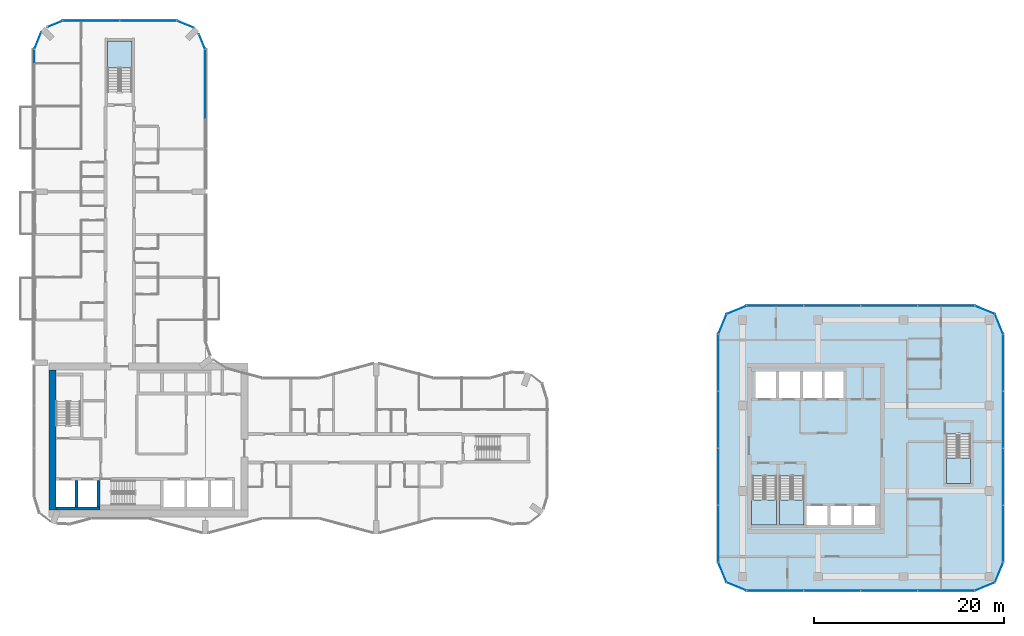
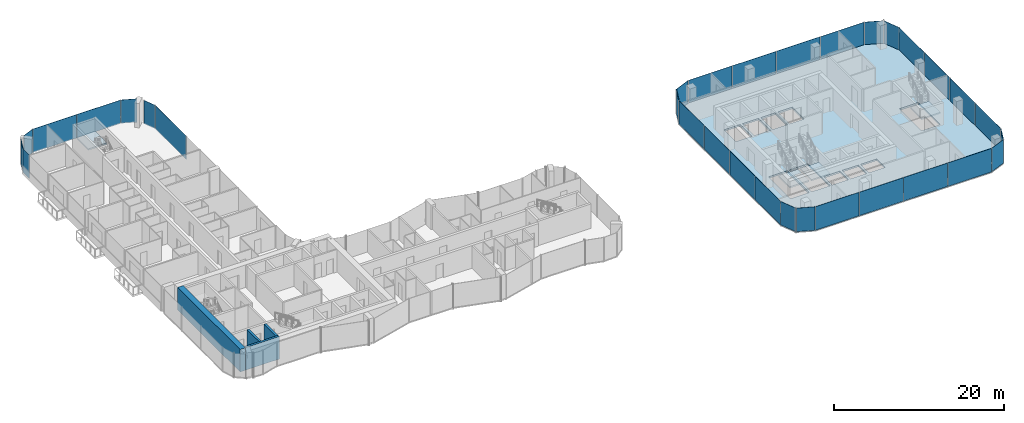
# One storey, part 12 of 22: 32 plates, 5 slabs, 4 walls, 23 elements without a shape of their own.
"""IFC4 building model written with IfcOpenShell, lengths in metres."""

import ifcopenshell
import ifcopenshell.guid

model = None  # the IFC model being written
_history = None  # IfcOwnerHistory: only IFC2X3 demands one
_inside = {}  # id of a spatial element -> (the spatial element, [elements in it])
_under = {}  # id of a project, library or spatial element -> (it, [spatial elements below it])
_declared = {}  # id of a project -> (the project, [libraries it declares])
_typed = {}  # id of a type object -> (the type object, [elements of that type])
_made_of = {}  # id of a material, layer set ... -> (it, [elements and type objects made of it])


def new_model(schema):
    """Start an empty IFC model of exactly this schema.

    Asked for "IFC4X3", IfcOpenShell would pick the latest addendum, in which some entities
    have other attributes; the version numbers below select the first issue.
    IFC2X3 requires an IfcOwnerHistory on every rooted entity: one is made here for all.
    """
    global model, _history
    if schema == "IFC4X3":
        model = ifcopenshell.file(schema_version=(4, 3, 0, 0))
    else:
        model = ifcopenshell.file(schema=schema)
    _inside.clear()
    _under.clear()
    _declared.clear()
    _typed.clear()
    _made_of.clear()
    _history = None
    if model.schema == "IFC2X3":
        org = make("IfcOrganization", Name="unknown")
        user = make(
            "IfcPersonAndOrganization",
            ThePerson=make("IfcPerson", FamilyName="unknown"),
            TheOrganization=org,
        )
        app = make(
            "IfcApplication",
            ApplicationDeveloper=org,
            Version="unknown",
            ApplicationFullName="unknown",
            ApplicationIdentifier="unknown",
        )
        _history = make(
            "IfcOwnerHistory",
            OwningUser=user,
            OwningApplication=app,
            ChangeAction="ADDED",
            CreationDate=0,
        )
    return model


def make(cls, **values):
    """One entity of the class cls with the attributes given. An attribute that is None is left unset."""
    return model.create_entity(
        cls, **{name: value for name, value in values.items() if value is not None}
    )


def rooted(cls, **values):
    """An entity with a GlobalId (a new one), such as an element, a storey or a relation."""
    return make(cls, GlobalId=ifcopenshell.guid.new(), OwnerHistory=_history, **values)


def si_unit(unit_type, name, prefix=None):
    """IfcSIUnit, for example si_unit("LENGTHUNIT", "METRE", prefix="MILLI")."""
    return make("IfcSIUnit", UnitType=unit_type, Prefix=prefix, Name=name)


def assignment(units):
    """IfcUnitAssignment: the units of a project."""
    return None if units is None else make("IfcUnitAssignment", Units=units)


def point(xyz):
    """IfcCartesianPoint."""
    return None if xyz is None else make("IfcCartesianPoint", Coordinates=xyz)


def direction(xyz):
    """IfcDirection."""
    return None if xyz is None else make("IfcDirection", DirectionRatios=xyz)


def frame(location, z_axis=None, x_axis=None):
    """IfcAxis2Placement3D, a coordinate frame: its origin and axes. An axis left out is left unset."""
    return make(
        "IfcAxis2Placement3D",
        Location=point(location),
        Axis=direction(z_axis),
        RefDirection=direction(x_axis),
    )


def frame_2d(location, x_axis=None):
    """IfcAxis2Placement2D, a coordinate frame in the plane: its origin and x axis."""
    return make(
        "IfcAxis2Placement2D", Location=point(location), RefDirection=direction(x_axis)
    )


def origin():
    """The frame at (0, 0, 0) with its axes left unset."""
    return frame((0.0, 0.0, 0.0))


def origin_2d():
    """The frame at (0, 0) in the plane with its x axis left unset."""
    return frame_2d((0.0, 0.0))


def place(relative_to, where):
    """IfcLocalPlacement: puts the frame where relative to a parent placement (None: the world)."""
    return make(
        "IfcLocalPlacement", PlacementRelTo=relative_to, RelativePlacement=where
    )


def context(
    kind, dimensions, precision=None, world=None, true_north=None, identifier=None
):
    """IfcGeometricRepresentationContext, for example the 3D "Model" context."""
    return make(
        "IfcGeometricRepresentationContext",
        ContextIdentifier=identifier,
        ContextType=kind,
        CoordinateSpaceDimension=dimensions,
        Precision=precision,
        WorldCoordinateSystem=world,
        TrueNorth=true_north,
    )


def subcontext(parent, identifier, kind, view, scale=None):
    """IfcGeometricRepresentationSubContext, for example "Body" below "Model"."""
    return make(
        "IfcGeometricRepresentationSubContext",
        ContextIdentifier=identifier,
        ContextType=kind,
        ParentContext=parent,
        TargetScale=scale,
        TargetView=view,
    )


def project(units=None, contexts=None):
    """IfcProject with its units and contexts."""
    return rooted(
        "IfcProject",
        Name="project",
        RepresentationContexts=contexts,
        UnitsInContext=assignment(units),
    )


def spatial(cls, under=None, at=None, **own):
    """A site, building, storey or space (cls), placed at a placement, below another one or the project."""
    s = rooted(cls, ObjectPlacement=at, **own)
    if under is not None:
        _under.setdefault(under.id(), (under, []))[1].append(s)
    return s


def polyline(points):
    """IfcPolyline through the points."""
    return make("IfcPolyline", Points=[point(p) for p in points])


def profile(cls, at=None, kind="AREA", **sizes):
    """A parametric profile (cls). Its sizes go by their IFC names, for example OverallWidth=200.0."""
    return make(cls, ProfileType=kind, Position=at, **sizes)


def rectangle(**sizes):
    """IfcRectangleProfileDef."""
    return profile("IfcRectangleProfileDef", **sizes)


def outline(outer, holes=None, kind="AREA"):
    """IfcArbitraryClosedProfileDef: a profile drawn as a closed curve; with holes, ...WithVoids."""
    if holes is None:
        return make("IfcArbitraryClosedProfileDef", ProfileType=kind, OuterCurve=outer)
    return make(
        "IfcArbitraryProfileDefWithVoids",
        ProfileType=kind,
        OuterCurve=outer,
        InnerCurves=holes,
    )


def extrude(swept, where, along, depth):
    """IfcExtrudedAreaSolid: the profile swept, set in the frame where, extruded along a direction by depth."""
    return make(
        "IfcExtrudedAreaSolid",
        SweptArea=swept,
        Position=where,
        ExtrudedDirection=direction(along),
        Depth=depth,
    )


def shape(context_of_items, identifier, shape_type, items):
    """IfcShapeRepresentation: the items that make up one representation, for example the "Body"."""
    return make(
        "IfcShapeRepresentation",
        ContextOfItems=context_of_items,
        RepresentationIdentifier=identifier,
        RepresentationType=shape_type,
        Items=items,
    )


def material(Name=None, Category=None):
    """IfcMaterial."""
    return make("IfcMaterial", Name=Name, Category=Category)


def layer(
    of_material, thickness, ventilated=None, Name=None, Category=None, Priority=None
):
    """IfcMaterialLayer: one layer of a wall or slab, of a material (None: an air gap)."""
    return make(
        "IfcMaterialLayer",
        Material=of_material,
        LayerThickness=thickness,
        IsVentilated=ventilated,
        Name=Name,
        Category=Category,
        Priority=Priority,
    )


def layer_set(layers, Name=None):
    """IfcMaterialLayerSet."""
    return make("IfcMaterialLayerSet", MaterialLayers=layers, LayerSetName=Name)


def made_of(thing, what):
    """Note that an element or type object is made of a material, layer set ...; save() writes the relation."""
    if what is not None:
        _made_of.setdefault(what.id(), (what, []))[1].append(thing)
    return thing


def type_object(cls, material=None, **own):
    """A type object (cls), such as IfcWallType, which elements share."""
    return made_of(rooted(cls, **own), material)


def element(
    cls,
    number,
    at=None,
    inside=None,
    cuts=None,
    type_object=None,
    material=None,
    context=None,
    identifier="Body",
    shape_type=None,
    held_by="IfcProductDefinitionShape",
    body=None,
    shapes=None,
    **own,
):
    """One element of the class cls, such as IfcWall. Its Tag is "e" and its number.

    at: its placement. inside: the storey or other place that contains it. cuts: it is an
    opening in that element (IfcRelVoidsElement). A single representation is given by context,
    identifier, shape_type and body (its items); several are given by shapes. held_by: the class
    of the entity that holds the representations. save() writes the other relations.
    """
    e = rooted(cls, Tag="e%d" % number, ObjectPlacement=at, **own)
    if body is not None:
        shapes = [shape(context, identifier, shape_type, body)]
    if shapes is not None:
        e.Representation = make(held_by, Representations=shapes)
    if inside is not None:
        _inside.setdefault(inside.id(), (inside, []))[1].append(e)
    if cuts is not None:
        rooted(
            "IfcRelVoidsElement", RelatingBuildingElement=cuts, RelatedOpeningElement=e
        )
    if type_object is not None:
        _typed.setdefault(type_object.id(), (type_object, []))[1].append(e)
    return made_of(e, material)


def aggregate(whole, parts):
    """IfcRelAggregates: a whole, such as a stair, and the parts it consists of."""
    return rooted("IfcRelAggregates", RelatingObject=whole, RelatedObjects=parts)


def save(model, path):
    """Write the relations noted so far, then the file.

    IfcRelAggregates (storeys below a building ...), IfcRelContainedInSpatialStructure (elements
    in a storey), IfcRelDefinesByType, IfcRelAssociatesMaterial and IfcRelDeclares: one each for
    every whole, place, type object, material and project.
    """
    for whole, parts in _under.values():
        aggregate(whole, parts)
    for where, things in _inside.values():
        rooted(
            "IfcRelContainedInSpatialStructure",
            RelatedElements=things,
            RelatingStructure=where,
        )
    for kind, things in _typed.values():
        rooted("IfcRelDefinesByType", RelatedObjects=things, RelatingType=kind)
    for what, things in _made_of.values():
        rooted("IfcRelAssociatesMaterial", RelatedObjects=things, RelatingMaterial=what)
    for by, libraries in _declared.values():
        rooted("IfcRelDeclares", RelatingContext=by, RelatedDefinitions=libraries)
    model.write(path)


model = new_model("IFC4")

# Units and contexts
model_context = context("Model", 3, precision=1e-05, world=origin(), true_north=direction((0.0, 1.0)))
body_context = subcontext(model_context, "Body", "Model", "MODEL_VIEW")
ifc_project = project(units=[si_unit("LENGTHUNIT", "METRE"), si_unit("AREAUNIT", "SQUARE_METRE"), si_unit("VOLUMEUNIT", "CUBIC_METRE"), si_unit("PLANEANGLEUNIT", "RADIAN"), si_unit("MASSUNIT", "GRAM", prefix="KILO")], contexts=[model_context])

# Site, building, storey
site_placement = place(None, origin())
site = spatial("IfcSite", under=ifc_project, at=site_placement, CompositionType="ELEMENT")
building_placement = place(site_placement, origin())
building = spatial("IfcBuilding", under=site, at=building_placement, Name="Plateau Cross Towers", CompositionType="ELEMENT")
storey_placement = place(building_placement, frame((0.0, 0.0, 54.800048828125)))
storey = spatial("IfcBuildingStorey", under=building, at=storey_placement, Name="L13", CompositionType="ELEMENT", Elevation=54.800048828125)

# Curtain wall, plates
ifc_material_1 = material(Name="Dark low-iron glass", Category="glass")
ifc_layer_1 = layer(ifc_material_1, 0.239990234375)
ifc_layer_set_1 = layer_set([ifc_layer_1], Name="Dark low-iron glass")
curtain_wall_type_1 = type_object("IfcCurtainWallType", Name="Curtain wall office unitised CW-F", PredefinedType="NOTDEFINED", material=ifc_layer_set_1)
curtain_wall_1_placement = place(storey_placement, origin())
curtain_wall_1 = element("IfcCurtainWall", 1, at=curtain_wall_1_placement, inside=storey, type_object=curtain_wall_type_1, Name="ENV/B/L13/B750_-60", PredefinedType="NOTDEFINED")
ifc_layer_2 = layer(ifc_material_1, 0.028076171875)
ifc_layer_set_2 = layer_set([ifc_layer_2], Name="Dark low-iron glass")
plate_type_1 = type_object("IfcPlateType", Name="Glass panel 28 office unitised", PredefinedType="CURTAIN_PANEL", material=ifc_layer_set_2)
plate_1_placement = place(storey_placement, frame((78.0, -6.0, -0.1298828125), z_axis=(0.0, 0.0, 1.0), x_axis=(1.0, 0.0, 0.0)))
plate_1 = element("IfcPlate", 2, at=plate_1_placement, type_object=plate_type_1, Name="CW-F panel 1", PredefinedType="CURTAIN_PANEL", context=body_context, shape_type="SweptSolid", body=[
    extrude(rectangle(XDim=5.93994140625, YDim=0.028076171875, at=origin_2d()), origin(), (0.0, 0.0, 1.0), 3.3798828125),
])
plate_2_placement = place(storey_placement, frame((84.0, -6.0, -0.1298828125), z_axis=(0.0, 0.0, 1.0), x_axis=(1.0, 0.0, 0.0)))
plate_2 = element("IfcPlate", 3, at=plate_2_placement, type_object=plate_type_1, Name="CW-F panel 2", PredefinedType="CURTAIN_PANEL", context=body_context, shape_type="SweptSolid", body=[
    extrude(rectangle(XDim=5.93994140625, YDim=0.028076171875, at=origin_2d()), origin(), (0.0, 0.0, 1.0), 3.3798828125),
])
plate_3_placement = place(storey_placement, frame((90.0, -6.0, -0.1298828125), z_axis=(0.0, 0.0, 1.0), x_axis=(1.0, 0.0, 0.0)))
plate_3 = element("IfcPlate", 4, at=plate_3_placement, type_object=plate_type_1, Name="CW-F panel 3", PredefinedType="CURTAIN_PANEL", context=body_context, shape_type="SweptSolid", body=[
    extrude(rectangle(XDim=5.93994140625, YDim=0.028076171875, at=origin_2d()), origin(), (0.0, 0.0, 1.0), 3.3798828125),
])
plate_4_placement = place(storey_placement, frame((96.0, -6.0, -0.1298828125), z_axis=(0.0, 0.0, 1.0), x_axis=(1.0, 0.0, 0.0)))
plate_4 = element("IfcPlate", 5, at=plate_4_placement, type_object=plate_type_1, Name="CW-F panel 4", PredefinedType="CURTAIN_PANEL", context=body_context, shape_type="SweptSolid", body=[
    extrude(rectangle(XDim=5.93994140625, YDim=0.028076171875, at=origin_2d()), origin(), (0.0, 0.0, 1.0), 3.3798828125),
])
aggregate(curtain_wall_1, [plate_1, plate_2, plate_3, plate_4])

# Curtain wall, plate
curtain_wall_2_placement = place(storey_placement, origin())
curtain_wall_2 = element("IfcCurtainWall", 6, at=curtain_wall_2_placement, inside=storey, type_object=curtain_wall_type_1, Name="ENV/B/L13/B990_-60", PredefinedType="NOTDEFINED")
plate_5_placement = place(storey_placement, frame((100.060546875, -5.560546875, -0.1298828125), z_axis=(0.0, 0.0, 1.0), x_axis=(0.923879457699, 0.382683612978, 0.0)))
plate_5 = element("IfcPlate", 7, at=plate_5_placement, type_object=plate_type_1, Name="CW-F panel 1", PredefinedType="CURTAIN_PANEL", context=body_context, shape_type="SweptSolid", body=[
    extrude(rectangle(XDim=2.236083984375, YDim=0.028076171875, at=origin_2d()), origin(), (0.0, 0.0, 1.0), 3.3798828125),
])
aggregate(curtain_wall_2, [plate_5])

curtain_wall_3_placement = place(storey_placement, origin())
curtain_wall_3 = element("IfcCurtainWall", 8, at=curtain_wall_3_placement, inside=storey, type_object=curtain_wall_type_1, Name="ENV/B/L13/B1011_-51", PredefinedType="NOTDEFINED")
plate_6_placement = place(storey_placement, frame((101.560546875, -4.060546875, -0.1298828125), z_axis=(0.0, 0.0, 1.0), x_axis=(0.382683612978, 0.923879457699, 0.0)))
plate_6 = element("IfcPlate", 9, at=plate_6_placement, type_object=plate_type_1, Name="CW-F panel 1", PredefinedType="CURTAIN_PANEL", context=body_context, shape_type="SweptSolid", body=[
    extrude(rectangle(XDim=2.236083984375, YDim=0.028076171875, at=origin_2d()), origin(), (0.0, 0.0, 1.0), 3.3798828125),
])
aggregate(curtain_wall_3, [plate_6])

# Curtain wall, plates
curtain_wall_4_placement = place(storey_placement, origin())
curtain_wall_4 = element("IfcCurtainWall", 10, at=curtain_wall_4_placement, inside=storey, type_object=curtain_wall_type_1, Name="ENV/B/L13/B1020_-30", PredefinedType="NOTDEFINED")
plate_7_placement = place(storey_placement, frame((102.0, 0.0, -0.1298828125), z_axis=(0.0, 0.0, 1.0), x_axis=(0.0, 1.0, 0.0)))
plate_7 = element("IfcPlate", 11, at=plate_7_placement, type_object=plate_type_1, Name="CW-F panel 1", PredefinedType="CURTAIN_PANEL", context=body_context, shape_type="SweptSolid", body=[
    extrude(rectangle(XDim=5.93994140625, YDim=0.028076171875, at=origin_2d()), origin(), (0.0, 0.0, 1.0), 3.3798828125),
])
plate_8_placement = place(storey_placement, frame((102.0, 6.0, -0.1298828125), z_axis=(0.0, 0.0, 1.0), x_axis=(0.0, 1.0, 0.0)))
plate_8 = element("IfcPlate", 12, at=plate_8_placement, type_object=plate_type_1, Name="CW-F panel 2", PredefinedType="CURTAIN_PANEL", context=body_context, shape_type="SweptSolid", body=[
    extrude(rectangle(XDim=5.93994140625, YDim=0.028076171875, at=origin_2d()), origin(), (0.0, 0.0, 1.0), 3.3798828125),
])
plate_9_placement = place(storey_placement, frame((102.0, 12.0, -0.1298828125), z_axis=(0.0, 0.0, 1.0), x_axis=(0.0, 1.0, 0.0)))
plate_9 = element("IfcPlate", 13, at=plate_9_placement, type_object=plate_type_1, Name="CW-F panel 3", PredefinedType="CURTAIN_PANEL", context=body_context, shape_type="SweptSolid", body=[
    extrude(rectangle(XDim=5.93994140625, YDim=0.028076171875, at=origin_2d()), origin(), (0.0, 0.0, 1.0), 3.3798828125),
])
plate_10_placement = place(storey_placement, frame((102.0, 18.0, -0.1298828125), z_axis=(0.0, 0.0, 1.0), x_axis=(0.0, 1.0, 0.0)))
plate_10 = element("IfcPlate", 14, at=plate_10_placement, type_object=plate_type_1, Name="CW-F panel 4", PredefinedType="CURTAIN_PANEL", context=body_context, shape_type="SweptSolid", body=[
    extrude(rectangle(XDim=5.93994140625, YDim=0.028076171875, at=origin_2d()), origin(), (0.0, 0.0, 1.0), 3.3798828125),
])
aggregate(curtain_wall_4, [plate_7, plate_8, plate_9, plate_10])

# Curtain wall, plate
curtain_wall_5_placement = place(storey_placement, origin())
curtain_wall_5 = element("IfcCurtainWall", 15, at=curtain_wall_5_placement, inside=storey, type_object=curtain_wall_type_1, Name="ENV/B/L13/B1020_210", PredefinedType="NOTDEFINED")
plate_11_placement = place(storey_placement, frame((101.560546875, 22.060546875, -0.1298828125), z_axis=(0.0, 0.0, 1.0), x_axis=(-0.382683612978, 0.923879457699, 0.0)))
plate_11 = element("IfcPlate", 16, at=plate_11_placement, type_object=plate_type_1, Name="CW-F panel 1", PredefinedType="CURTAIN_PANEL", context=body_context, shape_type="SweptSolid", body=[
    extrude(rectangle(XDim=2.236083984375, YDim=0.028076171875, at=origin_2d()), origin(), (0.0, 0.0, 1.0), 3.3798828125),
])
aggregate(curtain_wall_5, [plate_11])

curtain_wall_6_placement = place(storey_placement, origin())
curtain_wall_6 = element("IfcCurtainWall", 17, at=curtain_wall_6_placement, inside=storey, type_object=curtain_wall_type_1, Name="ENV/B/L13/B1011_231", PredefinedType="NOTDEFINED")
plate_12_placement = place(storey_placement, frame((100.060546875, 23.560546875, -0.1298828125), z_axis=(0.0, 0.0, 1.0), x_axis=(-0.923879457699, 0.382683612978, 0.0)))
plate_12 = element("IfcPlate", 18, at=plate_12_placement, type_object=plate_type_1, Name="CW-F panel 1", PredefinedType="CURTAIN_PANEL", context=body_context, shape_type="SweptSolid", body=[
    extrude(rectangle(XDim=2.236083984375, YDim=0.028076171875, at=origin_2d()), origin(), (0.0, 0.0, 1.0), 3.3798828125),
])
aggregate(curtain_wall_6, [plate_12])

# Curtain wall, plates
curtain_wall_7_placement = place(storey_placement, origin())
curtain_wall_7 = element("IfcCurtainWall", 19, at=curtain_wall_7_placement, inside=storey, type_object=curtain_wall_type_1, Name="ENV/B/L13/B990_240", PredefinedType="NOTDEFINED")
plate_13_placement = place(storey_placement, frame((96.0, 24.0, -0.1298828125), z_axis=(0.0, 0.0, 1.0), x_axis=(-1.0, 0.0, 0.0)))
plate_13 = element("IfcPlate", 20, at=plate_13_placement, type_object=plate_type_1, Name="CW-F panel 1", PredefinedType="CURTAIN_PANEL", context=body_context, shape_type="SweptSolid", body=[
    extrude(rectangle(XDim=5.93994140625, YDim=0.028076171875, at=origin_2d()), origin(), (0.0, 0.0, 1.0), 3.3798828125),
])
plate_14_placement = place(storey_placement, frame((90.0, 24.0, -0.1298828125), z_axis=(0.0, 0.0, 1.0), x_axis=(-1.0, 0.0, 0.0)))
plate_14 = element("IfcPlate", 21, at=plate_14_placement, type_object=plate_type_1, Name="CW-F panel 2", PredefinedType="CURTAIN_PANEL", context=body_context, shape_type="SweptSolid", body=[
    extrude(rectangle(XDim=5.93994140625, YDim=0.028076171875, at=origin_2d()), origin(), (0.0, 0.0, 1.0), 3.3798828125),
])
plate_15_placement = place(storey_placement, frame((84.0, 24.0, -0.1298828125), z_axis=(0.0, 0.0, 1.0), x_axis=(-1.0, 0.0, 0.0)))
plate_15 = element("IfcPlate", 22, at=plate_15_placement, type_object=plate_type_1, Name="CW-F panel 3", PredefinedType="CURTAIN_PANEL", context=body_context, shape_type="SweptSolid", body=[
    extrude(rectangle(XDim=5.93994140625, YDim=0.028076171875, at=origin_2d()), origin(), (0.0, 0.0, 1.0), 3.3798828125),
])
plate_16_placement = place(storey_placement, frame((78.0, 24.0, -0.1298828125), z_axis=(0.0, 0.0, 1.0), x_axis=(-1.0, 0.0, 0.0)))
plate_16 = element("IfcPlate", 23, at=plate_16_placement, type_object=plate_type_1, Name="CW-F panel 4", PredefinedType="CURTAIN_PANEL", context=body_context, shape_type="SweptSolid", body=[
    extrude(rectangle(XDim=5.93994140625, YDim=0.028076171875, at=origin_2d()), origin(), (0.0, 0.0, 1.0), 3.3798828125),
])
aggregate(curtain_wall_7, [plate_13, plate_14, plate_15, plate_16])

# Curtain wall, plate
curtain_wall_8_placement = place(storey_placement, origin())
curtain_wall_8 = element("IfcCurtainWall", 24, at=curtain_wall_8_placement, inside=storey, type_object=curtain_wall_type_1, Name="ENV/B/L13/B750_240", PredefinedType="NOTDEFINED")
plate_17_placement = place(storey_placement, frame((73.939453125, 23.560546875, -0.1298828125), z_axis=(0.0, 0.0, 1.0), x_axis=(-0.923879457699, -0.382683612978, 0.0)))
plate_17 = element("IfcPlate", 25, at=plate_17_placement, type_object=plate_type_1, Name="CW-F panel 1", PredefinedType="CURTAIN_PANEL", context=body_context, shape_type="SweptSolid", body=[
    extrude(rectangle(XDim=2.236083984375, YDim=0.028076171875, at=origin_2d()), origin(), (0.0, 0.0, 1.0), 3.3798828125),
])
aggregate(curtain_wall_8, [plate_17])

curtain_wall_9_placement = place(storey_placement, origin())
curtain_wall_9 = element("IfcCurtainWall", 26, at=curtain_wall_9_placement, inside=storey, type_object=curtain_wall_type_1, Name="ENV/B/L13/B729_231", PredefinedType="NOTDEFINED")
plate_18_placement = place(storey_placement, frame((72.439453125, 22.060546875, -0.1298828125), z_axis=(0.0, 0.0, 1.0), x_axis=(-0.382683612978, -0.923879457699, 0.0)))
plate_18 = element("IfcPlate", 27, at=plate_18_placement, type_object=plate_type_1, Name="CW-F panel 1", PredefinedType="CURTAIN_PANEL", context=body_context, shape_type="SweptSolid", body=[
    extrude(rectangle(XDim=2.236083984375, YDim=0.028076171875, at=origin_2d()), origin(), (0.0, 0.0, 1.0), 3.3798828125),
])
aggregate(curtain_wall_9, [plate_18])

# Curtain wall, plates
curtain_wall_10_placement = place(storey_placement, origin())
curtain_wall_10 = element("IfcCurtainWall", 28, at=curtain_wall_10_placement, inside=storey, type_object=curtain_wall_type_1, Name="ENV/B/L13/B720_210", PredefinedType="NOTDEFINED")
plate_19_placement = place(storey_placement, frame((72.0, 18.0, -0.1298828125), z_axis=(0.0, 0.0, 1.0), x_axis=(0.0, -1.0, 0.0)))
plate_19 = element("IfcPlate", 29, at=plate_19_placement, type_object=plate_type_1, Name="CW-F panel 1", PredefinedType="CURTAIN_PANEL", context=body_context, shape_type="SweptSolid", body=[
    extrude(rectangle(XDim=5.93994140625, YDim=0.028076171875, at=origin_2d()), origin(), (0.0, 0.0, 1.0), 3.3798828125),
])
plate_20_placement = place(storey_placement, frame((72.0, 12.0, -0.1298828125), z_axis=(0.0, 0.0, 1.0), x_axis=(0.0, -1.0, 0.0)))
plate_20 = element("IfcPlate", 30, at=plate_20_placement, type_object=plate_type_1, Name="CW-F panel 2", PredefinedType="CURTAIN_PANEL", context=body_context, shape_type="SweptSolid", body=[
    extrude(rectangle(XDim=5.93994140625, YDim=0.028076171875, at=origin_2d()), origin(), (0.0, 0.0, 1.0), 3.3798828125),
])
plate_21_placement = place(storey_placement, frame((72.0, 6.0, -0.1298828125), z_axis=(0.0, 0.0, 1.0), x_axis=(0.0, -1.0, 0.0)))
plate_21 = element("IfcPlate", 31, at=plate_21_placement, type_object=plate_type_1, Name="CW-F panel 3", PredefinedType="CURTAIN_PANEL", context=body_context, shape_type="SweptSolid", body=[
    extrude(rectangle(XDim=5.93994140625, YDim=0.028076171875, at=origin_2d()), origin(), (0.0, 0.0, 1.0), 3.3798828125),
])
plate_22_placement = place(storey_placement, frame((72.0, 0.0, -0.1298828125), z_axis=(0.0, 0.0, 1.0), x_axis=(0.0, -1.0, 0.0)))
plate_22 = element("IfcPlate", 32, at=plate_22_placement, type_object=plate_type_1, Name="CW-F panel 4", PredefinedType="CURTAIN_PANEL", context=body_context, shape_type="SweptSolid", body=[
    extrude(rectangle(XDim=5.93994140625, YDim=0.028076171875, at=origin_2d()), origin(), (0.0, 0.0, 1.0), 3.3798828125),
])
aggregate(curtain_wall_10, [plate_19, plate_20, plate_21, plate_22])

# Curtain wall, plate
curtain_wall_11_placement = place(storey_placement, origin())
curtain_wall_11 = element("IfcCurtainWall", 33, at=curtain_wall_11_placement, inside=storey, type_object=curtain_wall_type_1, Name="ENV/B/L13/B720_-30", PredefinedType="NOTDEFINED")
plate_23_placement = place(storey_placement, frame((72.439453125, -4.060546875, -0.1298828125), z_axis=(0.0, 0.0, 1.0), x_axis=(0.382683612978, -0.923879457699, 0.0)))
plate_23 = element("IfcPlate", 34, at=plate_23_placement, type_object=plate_type_1, Name="CW-F panel 1", PredefinedType="CURTAIN_PANEL", context=body_context, shape_type="SweptSolid", body=[
    extrude(rectangle(XDim=2.236083984375, YDim=0.028076171875, at=origin_2d()), origin(), (0.0, 0.0, 1.0), 3.3798828125),
])
aggregate(curtain_wall_11, [plate_23])

curtain_wall_12_placement = place(storey_placement, origin())
curtain_wall_12 = element("IfcCurtainWall", 35, at=curtain_wall_12_placement, inside=storey, type_object=curtain_wall_type_1, Name="ENV/B/L13/B729_-51", PredefinedType="NOTDEFINED")
plate_24_placement = place(storey_placement, frame((73.939453125, -5.560546875, -0.1298828125), z_axis=(0.0, 0.0, 1.0), x_axis=(0.923879457699, -0.382683612978, 0.0)))
plate_24 = element("IfcPlate", 36, at=plate_24_placement, type_object=plate_type_1, Name="CW-F panel 1", PredefinedType="CURTAIN_PANEL", context=body_context, shape_type="SweptSolid", body=[
    extrude(rectangle(XDim=2.236083984375, YDim=0.028076171875, at=origin_2d()), origin(), (0.0, 0.0, 1.0), 3.3798828125),
])
aggregate(curtain_wall_12, [plate_24])

ifc_layer_3 = layer(ifc_material_1, 0.239990234375)
ifc_layer_set_3 = layer_set([ifc_layer_3], Name="Dark low-iron glass")
curtain_wall_type_2 = type_object("IfcCurtainWallType", Name="Curtain wall flush unitised CW-B", PredefinedType="NOTDEFINED", material=ifc_layer_set_3)
curtain_wall_13_placement = place(storey_placement, origin())
curtain_wall_13 = element("IfcCurtainWall", 37, at=curtain_wall_13_placement, inside=storey, type_object=curtain_wall_type_2, Name="ENV/A/L13/A180_363", PredefinedType="NOTDEFINED")
ifc_layer_4 = layer(ifc_material_1, 0.031982421875)
ifc_layer_set_4 = layer_set([ifc_layer_4], Name="Dark low-iron glass")
plate_type_2 = type_object("IfcPlateType", Name="Glass panel 32 flush unitised", PredefinedType="CURTAIN_PANEL", material=ifc_layer_set_4)
plate_25_placement = place(storey_placement, frame((18.0, 47.324951171875, -0.1298828125), z_axis=(0.0, 0.0, 1.0), x_axis=(0.0, 1.0, 0.0)))
plate_25 = element("IfcPlate", 38, at=plate_25_placement, type_object=plate_type_2, Name="CW-B panel 2", PredefinedType="CURTAIN_PANEL", context=body_context, shape_type="SweptSolid", body=[
    extrude(rectangle(XDim=7.2900390625, YDim=0.031982421875, at=origin_2d()), origin(), (0.0, 0.0, 1.0), 3.3798828125),
])
aggregate(curtain_wall_13, [plate_25])

curtain_wall_14_placement = place(storey_placement, origin())
curtain_wall_14 = element("IfcCurtainWall", 39, at=curtain_wall_14_placement, inside=storey, type_object=curtain_wall_type_2, Name="ENV/A/L13/A180_510", PredefinedType="NOTDEFINED")
plate_26_placement = place(storey_placement, frame((17.66943359375, 51.79833984375, -0.1298828125), z_axis=(0.0, 0.0, 1.0), x_axis=(-0.382683612978, 0.923879457699, 0.0)))
plate_26 = element("IfcPlate", 40, at=plate_26_placement, type_object=plate_type_2, Name="CW-B panel 1", PredefinedType="CURTAIN_PANEL", context=body_context, shape_type="SweptSolid", body=[
    extrude(rectangle(XDim=1.668212890625, YDim=0.031982421875, at=origin_2d()), origin(), (0.0, 0.0, 1.0), 3.3798828125),
])
aggregate(curtain_wall_14, [plate_26])

curtain_wall_15_placement = place(storey_placement, origin())
curtain_wall_15 = element("IfcCurtainWall", 41, at=curtain_wall_15_placement, inside=storey, type_object=curtain_wall_type_2, Name="ENV/A/L13/A168_533", PredefinedType="NOTDEFINED")
plate_27_placement = place(storey_placement, frame((15.90283203125, 53.6259765625, -0.1298828125), z_axis=(0.0, 0.0, 1.0), x_axis=(-0.923879457699, 0.382683612978, 0.0)))
plate_27 = element("IfcPlate", 42, at=plate_27_placement, type_object=plate_type_2, Name="CW-B panel 1", PredefinedType="CURTAIN_PANEL", context=body_context, shape_type="SweptSolid", body=[
    extrude(rectangle(XDim=1.894775390625, YDim=0.031982421875, at=origin_2d()), origin(), (0.0, 0.0, 1.0), 3.3798828125),
])
aggregate(curtain_wall_15, [plate_27])

# Curtain wall, plates
curtain_wall_16_placement = place(storey_placement, origin())
curtain_wall_16 = element("IfcCurtainWall", 43, at=curtain_wall_16_placement, inside=storey, type_object=curtain_wall_type_2, Name="ENV/A/L13/A150_540", PredefinedType="NOTDEFINED")
plate_28_placement = place(storey_placement, frame((12.0, 54.0, -0.1298828125), z_axis=(0.0, 0.0, 1.0), x_axis=(-1.0, 0.0, 0.0)))
plate_28 = element("IfcPlate", 44, at=plate_28_placement, type_object=plate_type_2, Name="CW-B panel 1", PredefinedType="CURTAIN_PANEL", context=body_context, shape_type="SweptSolid", body=[
    extrude(rectangle(XDim=5.93994140625, YDim=0.031982421875, at=origin_2d()), origin(), (0.0, 0.0, 1.0), 3.3798828125),
])
plate_29_placement = place(storey_placement, frame((6.0, 54.0, -0.1298828125), z_axis=(0.0, 0.0, 1.0), x_axis=(-1.0, 0.0, 0.0)))
plate_29 = element("IfcPlate", 45, at=plate_29_placement, type_object=plate_type_2, Name="CW-B panel 2", PredefinedType="CURTAIN_PANEL", context=body_context, shape_type="SweptSolid", body=[
    extrude(rectangle(XDim=5.93994140625, YDim=0.031982421875, at=origin_2d()), origin(), (0.0, 0.0, 1.0), 3.3798828125),
])
aggregate(curtain_wall_16, [plate_28, plate_29])

# Curtain wall, plate
curtain_wall_17_placement = place(storey_placement, origin())
curtain_wall_17 = element("IfcCurtainWall", 46, at=curtain_wall_17_placement, inside=storey, type_object=curtain_wall_type_2, Name="ENV/A/L13/A30_540", PredefinedType="NOTDEFINED")
plate_30_placement = place(storey_placement, frame((2.20166015625, 53.66943359375, -0.1298828125), z_axis=(0.0, 0.0, 1.0), x_axis=(-0.923879457699, -0.382683612978, 0.0)))
plate_30 = element("IfcPlate", 47, at=plate_30_placement, type_object=plate_type_2, Name="CW-B panel 1", PredefinedType="CURTAIN_PANEL", context=body_context, shape_type="SweptSolid", body=[
    extrude(rectangle(XDim=1.668212890625, YDim=0.031982421875, at=origin_2d()), origin(), (0.0, 0.0, 1.0), 3.3798828125),
])
aggregate(curtain_wall_17, [plate_30])

curtain_wall_18_placement = place(storey_placement, origin())
curtain_wall_18 = element("IfcCurtainWall", 48, at=curtain_wall_18_placement, inside=storey, type_object=curtain_wall_type_2, Name="ENV/A/L13/A7_528", PredefinedType="NOTDEFINED")
plate_31_placement = place(storey_placement, frame((0.3740234375, 51.90283203125, -0.1298828125), z_axis=(0.0, 0.0, 1.0), x_axis=(-0.382683612978, -0.923879457699, 0.0)))
plate_31 = element("IfcPlate", 49, at=plate_31_placement, type_object=plate_type_2, Name="CW-B panel 1", PredefinedType="CURTAIN_PANEL", context=body_context, shape_type="SweptSolid", body=[
    extrude(rectangle(XDim=1.894775390625, YDim=0.031982421875, at=origin_2d()), origin(), (0.0, 0.0, 1.0), 3.3798828125),
])
aggregate(curtain_wall_18, [plate_31])

curtain_wall_19_placement = place(storey_placement, origin())
curtain_wall_19 = element("IfcCurtainWall", 50, at=curtain_wall_19_placement, inside=storey, type_object=curtain_wall_type_2, Name="ENV/A/L13/A0_510", PredefinedType="NOTDEFINED")
plate_32_placement = place(storey_placement, frame((0.0, 50.25, -0.1298828125), z_axis=(0.0, 0.0, 1.0), x_axis=(0.0, -1.0, 0.0)))
plate_32 = element("IfcPlate", 51, at=plate_32_placement, type_object=plate_type_2, Name="CW-B panel 1", PredefinedType="CURTAIN_PANEL", context=body_context, shape_type="SweptSolid", body=[
    extrude(rectangle(XDim=1.43994140625, YDim=0.031982421875, at=origin_2d()), origin(), (0.0, 0.0, 1.0), 3.3798828125),
])
aggregate(curtain_wall_19, [plate_32])

# Slab
ifc_material_2 = material(Name="Concrete C40/50", Category="concrete")
ifc_layer_5 = layer(ifc_material_2, 0.25)
ifc_layer_set_5 = layer_set([ifc_layer_5], Name="Concrete C40/50")
slab_type_1 = type_object("IfcSlabType", Name="Post-tensioned flat plate slab 250", PredefinedType="FLOOR", material=ifc_layer_set_5)
slab_1_placement = place(storey_placement, frame((0.0, 0.0, -0.25)))
element("IfcSlab", 52, at=slab_1_placement, inside=storey, type_object=slab_type_1, Name="SL-B-L13", PredefinedType="FLOOR", context=body_context, shape_type="SweptSolid", body=[
    extrude(outline(polyline([(72.878662109375, -5.121337890625), (72.0, -3.0), (72.0, 21.0), (72.878662109375, 23.121337890625), (75.0, 24.0), (99.0, 24.0), (101.121337890625, 23.121337890625), (102.0, 21.0), (102.0, -3.0), (101.121337890625, -5.121337890625), (99.0, -6.0), (75.0, -6.0), (72.878662109375, -5.121337890625)]), holes=[polyline([(75.60009765625, 0.89990234375), (78.14990234375, 0.89990234375), (78.14990234375, 6.10009765625), (75.60009765625, 6.10009765625), (75.60009765625, 0.89990234375)]), polyline([(78.10009765625, 14.300048828125), (78.10009765625, 17.10009765625), (75.89990234375, 17.10009765625), (75.89990234375, 14.300048828125), (78.10009765625, 14.300048828125)]), polyline([(83.5, 0.89990234375), (83.5, 2.89990234375), (81.300048828125, 2.89990234375), (81.300048828125, 0.89990234375), (83.5, 0.89990234375)]), polyline([(86.0, 0.89990234375), (86.0, 2.89990234375), (83.800048828125, 2.89990234375), (83.800048828125, 0.89990234375), (86.0, 0.89990234375)]), polyline([(88.5, 0.89990234375), (88.5, 2.89990234375), (86.300048828125, 2.89990234375), (86.300048828125, 0.89990234375), (88.5, 0.89990234375)]), polyline([(78.449951171875, 0.89990234375), (81.0, 0.89990234375), (81.0, 6.10009765625), (78.449951171875, 6.10009765625), (78.449951171875, 0.89990234375)]), polyline([(96.0, 5.300048828125), (98.550048828125, 5.300048828125), (98.550048828125, 10.5), (96.0, 10.5), (96.0, 5.300048828125)]), polyline([(80.60009765625, 14.300048828125), (80.60009765625, 17.10009765625), (78.39990234375, 17.10009765625), (78.39990234375, 14.300048828125), (80.60009765625, 14.300048828125)]), polyline([(80.89990234375, 14.300048828125), (82.89990234375, 14.300048828125), (82.89990234375, 17.10009765625), (80.89990234375, 17.10009765625), (80.89990234375, 14.300048828125)]), polyline([(83.199951171875, 14.300048828125), (85.199951171875, 14.300048828125), (85.199951171875, 17.10009765625), (83.199951171875, 17.10009765625), (83.199951171875, 14.300048828125)])]), origin(), (0.0, 0.0, 1.0), 0.25),
])

# Stair, slab
stair_type = type_object("IfcStairType", Name="ST-TWR", PredefinedType="HALF_TURN_STAIR", material=ifc_material_2)
stair_1_placement = place(storey_placement, origin())
stair_1 = element("IfcStair", 53, at=stair_1_placement, inside=storey, type_object=stair_type, Name="L13 Protected Exit Stair SB-1", PredefinedType="HALF_TURN_STAIR")
ifc_layer_6 = layer(ifc_material_2, 0.199951171875)
ifc_layer_set_6 = layer_set([ifc_layer_6], Name="Concrete C40/50")
slab_type_2 = type_object("IfcSlabType", Name="SL-LANDING", PredefinedType="LANDING", material=ifc_layer_set_6)
slab_2_placement = place(storey_placement, frame((0.0, 0.0, 1.550048828125)))
slab_2 = element("IfcSlab", 54, at=slab_2_placement, type_object=slab_type_2, Name="SB-1 landing 1", PredefinedType="LANDING", context=body_context, shape_type="SweptSolid", body=[
    extrude(outline(polyline([(75.5, 3.580078125), (75.5, 0.89990234375), (78.14990234375, 0.89990234375), (78.14990234375, 3.580078125), (75.5, 3.580078125)])), origin(), (0.0, 0.0, 1.0), 0.199951171875),
])
aggregate(stair_1, [slab_2])

stair_2_placement = place(storey_placement, origin())
stair_2 = element("IfcStair", 55, at=stair_2_placement, inside=storey, type_object=stair_type, Name="L13 Protected Exit Stair SB-2", PredefinedType="HALF_TURN_STAIR")
slab_3_placement = place(storey_placement, frame((0.0, 0.0, 1.550048828125)))
slab_3 = element("IfcSlab", 56, at=slab_3_placement, type_object=slab_type_2, Name="SB-2 landing 1", PredefinedType="LANDING", context=body_context, shape_type="SweptSolid", body=[
    extrude(outline(polyline([(78.449951171875, 3.580078125), (78.449951171875, 0.89990234375), (81.0, 0.89990234375), (81.0, 3.580078125), (78.449951171875, 3.580078125)])), origin(), (0.0, 0.0, 1.0), 0.199951171875),
])
aggregate(stair_2, [slab_3])

stair_3_placement = place(storey_placement, origin())
stair_3 = element("IfcStair", 57, at=stair_3_placement, inside=storey, type_object=stair_type, Name="L13 Protected Exit Stair SB-3", PredefinedType="HALF_TURN_STAIR")
slab_4_placement = place(storey_placement, frame((0.0, 0.0, 1.550048828125)))
slab_4 = element("IfcSlab", 58, at=slab_4_placement, type_object=slab_type_2, Name="SB-3 landing 1", PredefinedType="LANDING", context=body_context, shape_type="SweptSolid", body=[
    extrude(outline(polyline([(96.0, 7.97998046875), (96.0, 5.300048828125), (98.550048828125, 5.300048828125), (98.550048828125, 7.97998046875), (96.0, 7.97998046875)])), origin(), (0.0, 0.0, 1.0), 0.199951171875),
])
aggregate(stair_3, [slab_4])

stair_4_placement = place(storey_placement, origin())
stair_4 = element("IfcStair", 59, at=stair_4_placement, inside=storey, type_object=stair_type, Name="L13 Protected Exit Stair N", PredefinedType="HALF_TURN_STAIR")
slab_5_placement = place(storey_placement, frame((0.0, 0.0, 1.550048828125)))
slab_5 = element("IfcSlab", 60, at=slab_5_placement, type_object=slab_type_2, Name="ES-N landing 1", PredefinedType="LANDING", context=body_context, shape_type="SweptSolid", body=[
    extrude(outline(polyline([(10.27490234375, 49.02001953125), (10.27490234375, 51.85009765625), (7.72509765625, 51.85009765625), (7.72509765625, 49.02001953125), (10.27490234375, 49.02001953125)])), origin(), (0.0, 0.0, 1.0), 0.199951171875),
])
aggregate(stair_4, [slab_5])

# Walls
ifc_material_3 = material(Name="Concrete C60/75", Category="concrete")
ifc_layer_7 = layer(ifc_material_3, 0.300048828125)
ifc_layer_set_7 = layer_set([ifc_layer_7], Name="Concrete C60/75")
wall_type_1 = type_object("IfcWallType", Name="Core shaft wall 300", PredefinedType="SHEAR", material=ifc_layer_set_7)
wall_1_placement = place(storey_placement, frame((2.300048828125, 2.64990234375, 0.0), z_axis=(0.0, 0.0, 1.0), x_axis=(1.0, 0.0, 0.0)))
element("IfcWall", 61, at=wall_1_placement, inside=storey, type_object=wall_type_1, Name="A-sb-back1@L13", PredefinedType="SHEAR", context=body_context, shape_type="SweptSolid", body=[
    extrude(rectangle(XDim=4.599853515625, YDim=0.300048828125, at=frame_2d((2.2998046875, 0.0))), origin(), (0.0, 0.0, 1.0), 3.25),
])
for number, where, z_axis, x_axis, name in (
    (62, (4.449951171875, 2.800048828125, 0.0), (0.0, 0.0, 1.0), (0.0, 1.0, 0.0), "A-sb-v1@L13"),
    (63, (6.75, 2.800048828125, 0.0), (0.0, 0.0, 1.0), (0.0, 1.0, 0.0), "A-sb-v2@L13"),
):
    element("IfcWall", number, at=place(storey_placement, frame(where, z_axis=z_axis, x_axis=x_axis)), inside=storey, type_object=wall_type_1, Name=name, PredefinedType="SHEAR", context=body_context, shape_type="SweptSolid", body=[
        extrude(rectangle(XDim=2.800048828125, YDim=0.300048828125, at=frame_2d((1.39990234375, 0.0))), origin(), (0.0, 0.0, 1.0), 3.25),
    ])
ifc_layer_8 = layer(ifc_material_3, 0.75)
ifc_layer_set_8 = layer_set([ifc_layer_8], Name="Concrete C60/75")
wall_type_2 = type_object("IfcWallType", Name="Core shell wall 750", PredefinedType="SHEAR", material=ifc_layer_set_8)
wall_2_placement = place(storey_placement, frame((1.925048828125, 2.5, 0.0), z_axis=(0.0, 0.0, 1.0), x_axis=(0.0, 1.0, 0.0)))
element("IfcWall", 64, at=wall_2_placement, inside=storey, type_object=wall_type_2, Name="A-core-W@L13", PredefinedType="SHEAR", context=body_context, shape_type="SweptSolid", body=[
    extrude(rectangle(XDim=14.75, YDim=0.75, at=frame_2d((7.375, 0.0))), origin(), (0.0, 0.0, 1.0), 3.25),
])

save(model, "model.ifc")
